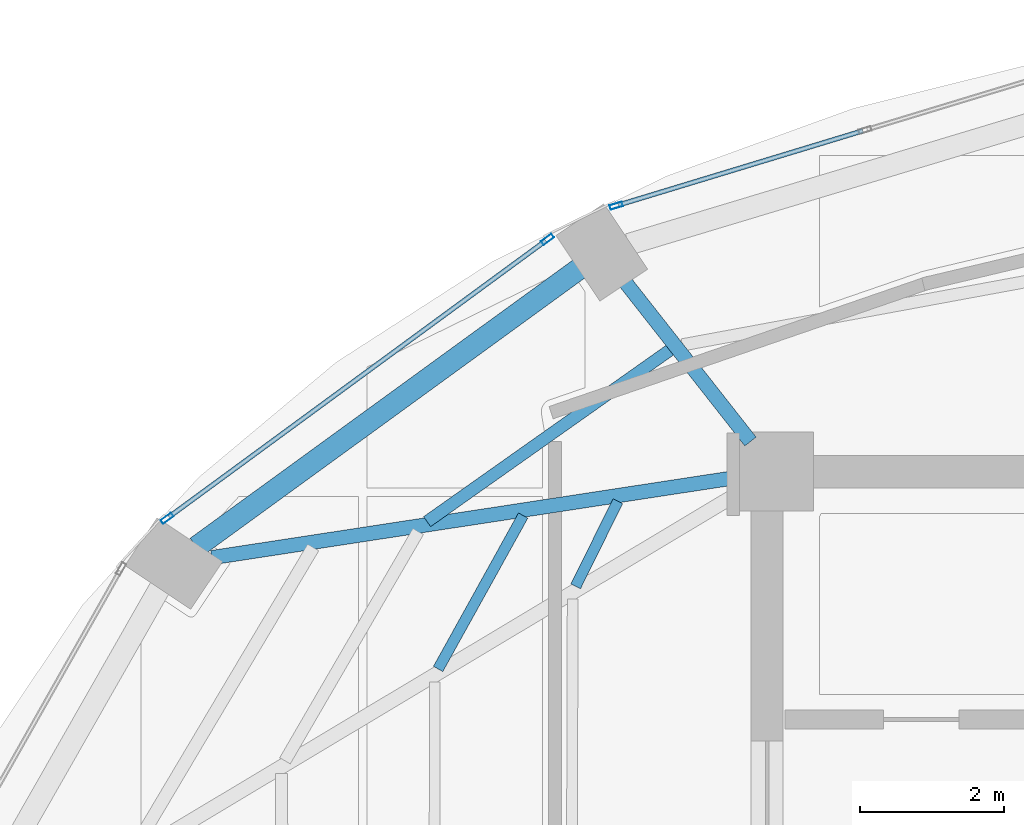
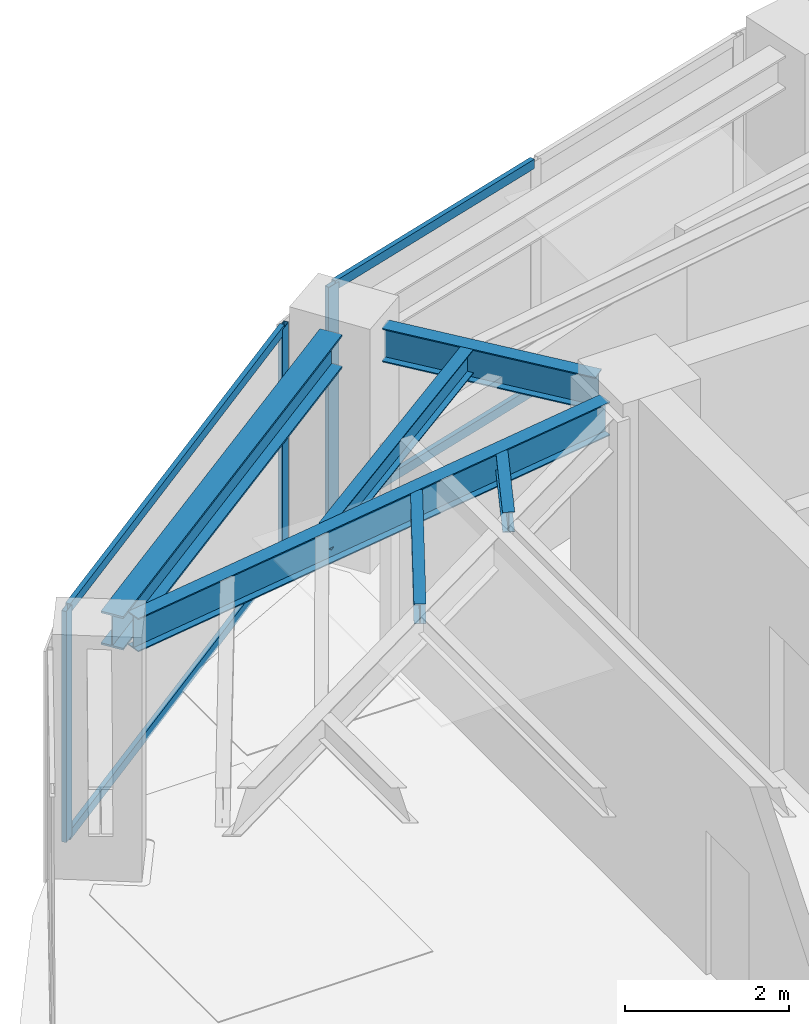
# One storey, part 10 of 22: 7 members, 6 beams, 2 elements without a shape of their own.
"""IFC4 building model written with IfcOpenShell, lengths in metres."""

from ifc_helpers import new_model, si_unit, direction, frame, origin, origin_2d, place, context, subcontext, project, spatial, hollow_rectangle, i_section, extrude, material, layer, layer_set, material_profile, profile_set, type_object, element, aggregate, save


model = new_model("IFC4")

# Units and contexts
model_context = context("Model", 3, precision=1e-05, world=origin(), true_north=direction((0.0, 1.0)))
body_context = subcontext(model_context, "Body", "Model", "MODEL_VIEW")
ifc_project = project(units=[si_unit("LENGTHUNIT", "METRE"), si_unit("AREAUNIT", "SQUARE_METRE"), si_unit("VOLUMEUNIT", "CUBIC_METRE"), si_unit("PLANEANGLEUNIT", "RADIAN"), si_unit("MASSUNIT", "GRAM", prefix="KILO")], contexts=[model_context])

# Site, building, storey
site_placement = place(None, origin())
site = spatial("IfcSite", under=ifc_project, at=site_placement, CompositionType="ELEMENT")
building_placement = place(site_placement, origin())
building = spatial("IfcBuilding", under=site, at=building_placement, Name="Lazwardi Medical Tower", CompositionType="ELEMENT")
storey_placement = place(building_placement, frame((0.0, 0.0, 258.672119140625)))
storey = spatial("IfcBuildingStorey", under=building, at=storey_placement, Name="L67", CompositionType="ELEMENT", Elevation=258.672119140625)

# Beams
ifc_material_1 = material(Name="Steel S355", Category="steel")
ifc_material_profile_1 = material_profile(ifc_material_1, i_section(OverallWidth=0.300048828125, OverallDepth=0.5, WebThickness=0.014404296875, FlangeThickness=0.028076171875, at=origin_2d()), Name="HEB 500")
ifc_profile_set_1 = profile_set([ifc_material_profile_1], Name="Steel S355")
beam_type_1 = type_object("IfcBeamType", Name="BM-RB-Z4", PredefinedType="BEAM", material=ifc_profile_set_1)
beam_1_placement = place(storey_placement, frame((23.68408203125, 38.4248046875, 3.197998046875), z_axis=(-0.808889916254, -0.587960120571, 0.0), x_axis=(0.587960120571, -0.808889916254, 0.0)))
element("IfcBeam", 1, at=beam_1_placement, inside=storey, type_object=beam_type_1, Name="Ring beam RB-05 B10 L67", PredefinedType="BEAM", context=body_context, shape_type="SweptSolid", body=[
    extrude(i_section(OverallWidth=0.300048828125, OverallDepth=0.5, WebThickness=0.014404296875, FlangeThickness=0.028076171875, at=origin_2d()), origin(), (0.0, 0.0, 1.0), 6.587158203125),
])
ifc_material_profile_2 = material_profile(ifc_material_1, i_section(OverallWidth=0.199951171875, OverallDepth=0.5, WebThickness=0.01025390625, FlangeThickness=0.01611328125, at=origin_2d()), Name="IPE 500")
ifc_profile_set_2 = profile_set([ifc_material_profile_2], Name="Steel S355")
beam_type_2 = type_object("IfcBeamType", Name="BM-RG-W3", PredefinedType="BEAM", material=ifc_profile_set_2)
beam_2_placement = place(storey_placement, frame((24.330322265625, 38.2333984375, 3.197998046875), z_axis=(0.617890508382, -0.786264153864, 0.0), x_axis=(0.786264153864, 0.617890508382, 0.0)))
element("IfcBeam", 2, at=beam_2_placement, inside=storey, type_object=beam_type_2, Name="Radial girder RG-04 R10 L67", PredefinedType="BEAM", context=body_context, shape_type="SweptSolid", body=[
    extrude(i_section(OverallWidth=0.199951171875, OverallDepth=0.5, WebThickness=0.01025390625, FlangeThickness=0.01611328125, at=origin_2d()), origin(), (0.0, 0.0, 1.0), 2.814453125),
])
beam_3_placement = place(storey_placement, frame((18.569091796875, 34.4033203125, 3.197998046875), z_axis=(0.988522137285, 0.151076087115, 0.0), x_axis=(-0.151076087115, 0.988522137285, 0.0)))
element("IfcBeam", 3, at=beam_3_placement, inside=storey, type_object=beam_type_2, Name="Radial girder RG-04 R11 L67", PredefinedType="BEAM", context=body_context, shape_type="SweptSolid", body=[
    extrude(i_section(OverallWidth=0.199951171875, OverallDepth=0.5, WebThickness=0.01025390625, FlangeThickness=0.01611328125, at=origin_2d()), origin(), (0.0, 0.0, 1.0), 7.38671875),
])
ifc_material_profile_3 = material_profile(ifc_material_1, i_section(OverallWidth=0.169921875, OverallDepth=0.360107421875, WebThickness=0.008056640625, FlangeThickness=0.0126953125, at=origin_2d()), Name="IPE 360")
ifc_profile_set_3 = profile_set([ifc_material_profile_3], Name="Steel S355")
beam_type_3 = type_object("IfcBeamType", Name="BM-SJ-02", PredefinedType="JOIST", material=ifc_profile_set_3)
beam_4_placement = place(storey_placement, frame((24.948486328125, 37.29345703125, 3.267822265625), z_axis=(-0.816711190406, -0.577046645832, 0.0), x_axis=(0.577046645832, -0.816711190406, 0.0)))
element("IfcBeam", 4, at=beam_4_placement, inside=storey, type_object=beam_type_3, Name="Secondary joist SJ-02 R2 B10 L67", PredefinedType="JOIST", context=body_context, shape_type="SweptSolid", body=[
    extrude(i_section(OverallWidth=0.169921875, OverallDepth=0.360107421875, WebThickness=0.008056640625, FlangeThickness=0.0126953125, at=origin_2d()), origin(), (0.0, 0.0, 1.0), 4.139892578125),
])
ifc_material_profile_4 = material_profile(ifc_material_1, i_section(OverallWidth=0.14990234375, OverallDepth=0.300048828125, WebThickness=0.007080078125, FlangeThickness=0.0107421875, at=origin_2d()), Name="IPE 300")
ifc_profile_set_4 = profile_set([ifc_material_profile_4], Name="Steel S355")
beam_type_4 = type_object("IfcBeamType", Name="BM-SJ-03", PredefinedType="JOIST", material=ifc_profile_set_4)
beam_5_placement = place(storey_placement, frame((22.904296875, 34.98974609375, 3.2978515625), z_axis=(-0.484751625998, -0.874651851363, 0.0), x_axis=(0.874651851363, -0.484751625998, 0.0)))
element("IfcBeam", 5, at=beam_5_placement, inside=storey, type_object=beam_type_4, Name="Secondary joist SJ-03 R3 B11 L67", PredefinedType="JOIST", context=body_context, shape_type="SweptSolid", body=[
    extrude(i_section(OverallWidth=0.14990234375, OverallDepth=0.300048828125, WebThickness=0.007080078125, FlangeThickness=0.0107421875, at=origin_2d()), origin(), (0.0, 0.0, 1.0), 2.442626953125),
])
beam_6_placement = place(storey_placement, frame((24.222412109375, 35.188720703125, 3.2978515625), z_axis=(-0.443587297772, -0.89623116954, 0.0), x_axis=(0.89623116954, -0.443587297772, 0.0)))
element("IfcBeam", 6, at=beam_6_placement, inside=storey, type_object=beam_type_4, Name="Secondary joist SJ-03 R4 B11 L67", PredefinedType="JOIST", context=body_context, shape_type="SweptSolid", body=[
    extrude(i_section(OverallWidth=0.14990234375, OverallDepth=0.300048828125, WebThickness=0.007080078125, FlangeThickness=0.0107421875, at=origin_2d()), origin(), (0.0, 0.0, 1.0), 1.32080078125),
])

# Curtain wall, member
ifc_material_2 = material(Name="Anodised bronze aluminium and solar control glazing", Category="aluminium")
ifc_layer = layer(ifc_material_2, 0.18994140625)
ifc_layer_set = layer_set([ifc_layer], Name="Anodised bronze aluminium and solar control glazing")
curtain_wall_type = type_object("IfcCurtainWallType", Name="CW-SYS-04", PredefinedType="NOTDEFINED", material=ifc_layer_set)
curtain_wall_1_placement = place(storey_placement, origin())
curtain_wall_1 = element("IfcCurtainWall", 7, at=curtain_wall_1_placement, inside=storey, type_object=curtain_wall_type, Name="L67 Unitised bronze curtain wall CW-04", PredefinedType="NOTDEFINED")
ifc_material_3 = material(Name="Anodised bronze aluminium", Category="aluminium")
ifc_material_profile_5 = material_profile(ifc_material_3, hollow_rectangle(XDim=0.06494140625, YDim=0.179931640625, WallThickness=0.00390625, at=origin_2d()), Name="ALU-MULLION 180x65x4")
ifc_profile_set_5 = profile_set([ifc_material_profile_5], Name="Anodised bronze aluminium")
member_type_1 = type_object("IfcMemberType", Name="CW-MUL-03", PredefinedType="MULLION", material=ifc_profile_set_5)
member_1_placement = place(storey_placement, frame((24.2001953125, 39.303466796875, 0.0), z_axis=(0.0, 0.0, 1.0), x_axis=(0.290581889515, -0.956850126972, 0.0)))
member_1 = element("IfcMember", 8, at=member_1_placement, type_object=member_type_1, Name="CW-04 mullion 3", PredefinedType="MULLION", context=body_context, shape_type="SweptSolid", body=[
    extrude(hollow_rectangle(XDim=0.06494140625, YDim=0.179931640625, WallThickness=0.00390625, at=origin_2d()), origin(), (0.0, 0.0, 1.0), 3.447998046875),
])

# Curtain wall, members
curtain_wall_2_placement = place(storey_placement, origin())
curtain_wall_2 = element("IfcCurtainWall", 9, at=curtain_wall_2_placement, inside=storey, type_object=curtain_wall_type, Name="L67 Unitised bronze curtain wall CW-04", PredefinedType="NOTDEFINED")
member_2_placement = place(storey_placement, frame((23.24462890625, 38.8349609375, 0.0), z_axis=(0.0, 0.0, 1.0), x_axis=(0.591268230971, -0.806474971121, 0.0)))
member_2 = element("IfcMember", 10, at=member_2_placement, type_object=member_type_1, Name="CW-04 mullion 1", PredefinedType="MULLION", context=body_context, shape_type="SweptSolid", body=[
    extrude(hollow_rectangle(XDim=0.06494140625, YDim=0.179931640625, WallThickness=0.00390625, at=origin_2d()), origin(), (0.0, 0.0, 1.0), 3.447998046875),
])
member_3_placement = place(storey_placement, frame((17.947998046875, 34.95166015625, 0.0), z_axis=(0.0, 0.0, 1.0), x_axis=(0.591268230971, -0.806474971121, 0.0)))
member_3 = element("IfcMember", 11, at=member_3_placement, type_object=member_type_1, Name="CW-04 mullion 2", PredefinedType="MULLION", context=body_context, shape_type="SweptSolid", body=[
    extrude(hollow_rectangle(XDim=0.06494140625, YDim=0.179931640625, WallThickness=0.00390625, at=origin_2d()), origin(), (0.0, 0.0, 1.0), 3.447998046875),
])

# Member
ifc_material_profile_6 = material_profile(ifc_material_3, hollow_rectangle(XDim=0.06494140625, YDim=0.139892578125, WallThickness=0.00341796875, at=origin_2d()), Name="ALU-TRANSOM 140x65x3.5")
ifc_profile_set_6 = profile_set([ifc_material_profile_6], Name="Anodised bronze aluminium")
member_type_2 = type_object("IfcMemberType", Name="CW-TRN-03", PredefinedType="USERDEFINED", material=ifc_profile_set_6)
member_4_placement = place(storey_placement, frame((27.632568359375, 40.345947265625, 0.032470703125), z_axis=(-0.956843409009, -0.290604010015, 0.0), x_axis=(0.290604010015, -0.956843409009, 0.0)))
member_4 = element("IfcMember", 12, at=member_4_placement, type_object=member_type_2, Name="CW-04 transom 2.1", ObjectType="TRANSOM", PredefinedType="USERDEFINED", context=body_context, shape_type="SweptSolid", body=[
    extrude(hollow_rectangle(XDim=0.06494140625, YDim=0.139892578125, WallThickness=0.00341796875, at=origin_2d()), origin(), (0.0, 0.0, 1.0), 3.554443359375),
])

member_5_placement = place(storey_placement, frame((27.632568359375, 40.345947265625, 3.415283203125), z_axis=(-0.956843409009, -0.290604010015, 0.0), x_axis=(0.290604010015, -0.956843409009, 0.0)))
member_5 = element("IfcMember", 13, at=member_5_placement, type_object=member_type_2, Name="CW-04 transom 2.2", ObjectType="TRANSOM", PredefinedType="USERDEFINED", context=body_context, shape_type="SweptSolid", body=[
    extrude(hollow_rectangle(XDim=0.06494140625, YDim=0.139892578125, WallThickness=0.00341796875, at=origin_2d()), origin(), (0.0, 0.0, 1.0), 3.554443359375),
])

aggregate(curtain_wall_1, [member_1, member_4, member_5])

member_6_placement = place(storey_placement, frame((23.218505859375, 38.815673828125, 0.032470703125), z_axis=(-0.80648973359, -0.591248094808, 0.0), x_axis=(0.591248094808, -0.80648973359, 0.0)))
member_6 = element("IfcMember", 14, at=member_6_placement, type_object=member_type_2, Name="CW-04 transom 1.1", ObjectType="TRANSOM", PredefinedType="USERDEFINED", context=body_context, shape_type="SweptSolid", body=[
    extrude(hollow_rectangle(XDim=0.06494140625, YDim=0.139892578125, WallThickness=0.00341796875, at=origin_2d()), origin(), (0.0, 0.0, 1.0), 6.502685546875),
])

member_7_placement = place(storey_placement, frame((23.218505859375, 38.815673828125, 3.415283203125), z_axis=(-0.80648973359, -0.591248094808, 0.0), x_axis=(0.591248094808, -0.80648973359, 0.0)))
member_7 = element("IfcMember", 15, at=member_7_placement, type_object=member_type_2, Name="CW-04 transom 1.2", ObjectType="TRANSOM", PredefinedType="USERDEFINED", context=body_context, shape_type="SweptSolid", body=[
    extrude(hollow_rectangle(XDim=0.06494140625, YDim=0.139892578125, WallThickness=0.00341796875, at=origin_2d()), origin(), (0.0, 0.0, 1.0), 6.502685546875),
])

aggregate(curtain_wall_2, [member_2, member_3, member_6, member_7])

save(model, "model.ifc")
